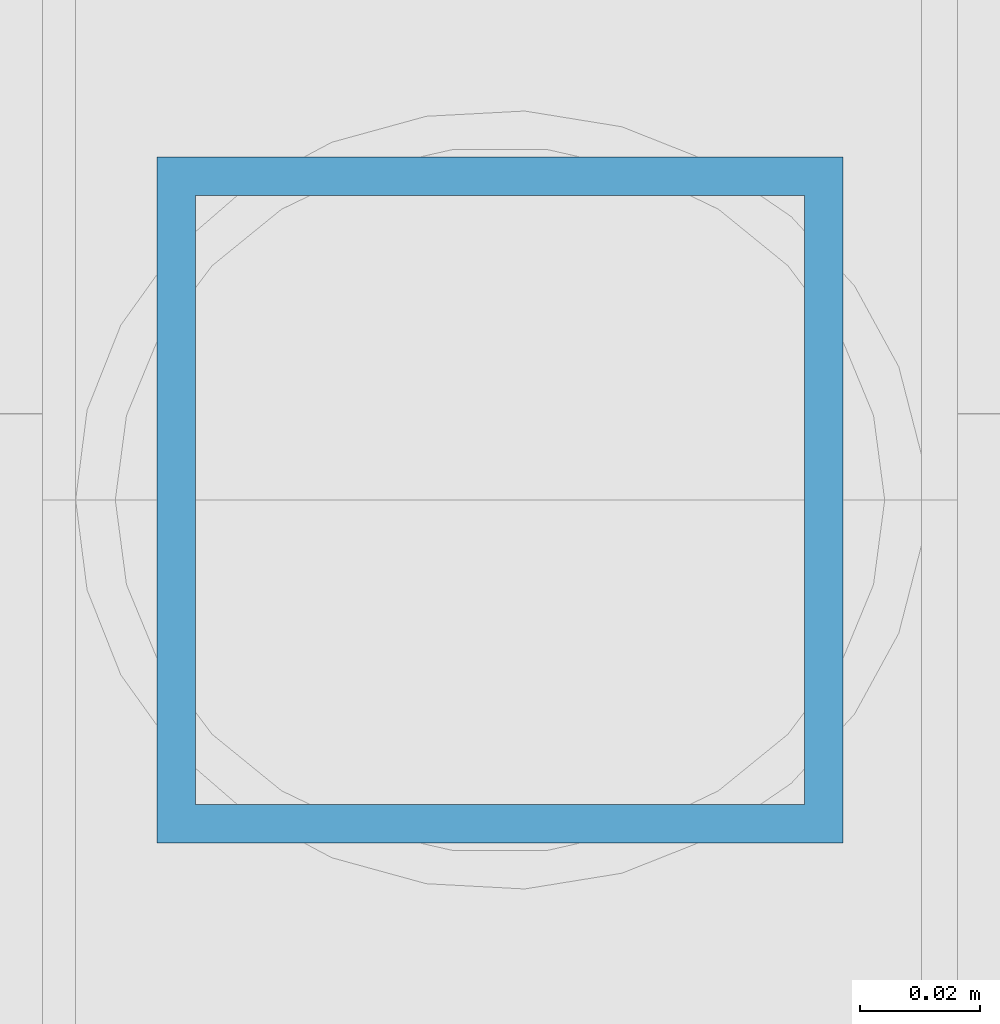
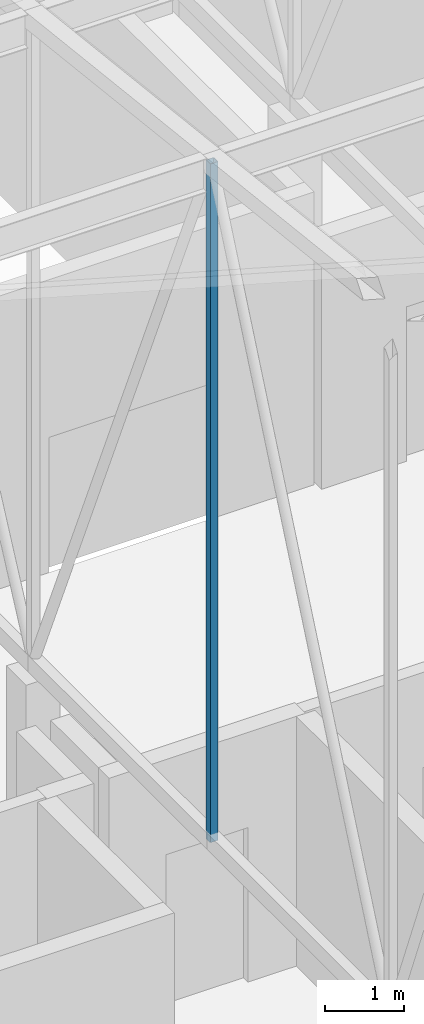
# One storey, part 294 of 500: 1 member.
"""IFC4 building model written with IfcOpenShell, lengths in metres."""

from ifc_helpers import new_model, si_unit, direction, frame, origin, origin_2d, place, context, subcontext, project, spatial, hollow_rectangle, extrude, material, material_profile, profile_set, type_object, element, save


model = new_model("IFC4")

# Units and contexts
model_context = context("Model", 3, precision=1e-05, world=origin(), true_north=direction((0.0, 1.0)))
body_context = subcontext(model_context, "Body", "Model", "MODEL_VIEW")
ifc_project = project(units=[si_unit("LENGTHUNIT", "METRE"), si_unit("AREAUNIT", "SQUARE_METRE"), si_unit("VOLUMEUNIT", "CUBIC_METRE"), si_unit("PLANEANGLEUNIT", "RADIAN"), si_unit("MASSUNIT", "GRAM", prefix="KILO")], contexts=[model_context])

# Site, building, storey
site_placement = place(None, origin())
site = spatial("IfcSite", under=ifc_project, at=site_placement, CompositionType="ELEMENT")
building_placement = place(site_placement, origin())
building = spatial("IfcBuilding", under=site, at=building_placement, Name="Shirokan Park Arena", CompositionType="ELEMENT")
storey_placement = place(building_placement, frame((0.0, 0.0, 29.1201171875)))
storey = spatial("IfcBuildingStorey", under=building, at=storey_placement, Name="L06", CompositionType="ELEMENT", Elevation=29.1201171875)

# Member
ifc_material = material(Name="Steel ASTM A500 Grade C", Category="steel")
ifc_material_profile = material_profile(ifc_material, hollow_rectangle(XDim=0.114013671875, YDim=0.114013671875, WallThickness=0.00634765625, at=origin_2d()), Name="HSS114.3X114.3X6.4")
ifc_profile_set = profile_set([ifc_material_profile], Name="Steel ASTM A500 Grade C")
member_type = type_object("IfcMemberType", Name="Truss post HSS114.3X114.3X6.4", PredefinedType="POST", material=ifc_profile_set)
member_placement = place(storey_placement, frame((118.300048828125, 86.449951171875, 4.677001953125), z_axis=(0.0, 0.0, 1.0), x_axis=(1.0, 0.0, 0.0)))
element("IfcMember", 1, at=member_placement, inside=storey, type_object=member_type, Name="Truss T14 post 22", PredefinedType="POST", context=body_context, shape_type="SweptSolid", body=[
    extrude(hollow_rectangle(XDim=0.114013671875, YDim=0.114013671875, WallThickness=0.00634765625, at=origin_2d()), origin(), (0.0, 0.0, 1.0), 10.5458984375),
])

save(model, "model.ifc")
